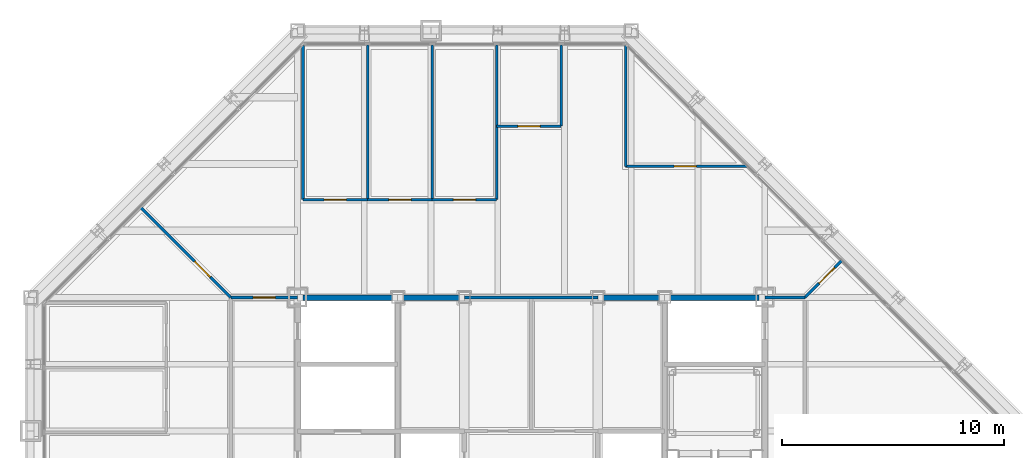
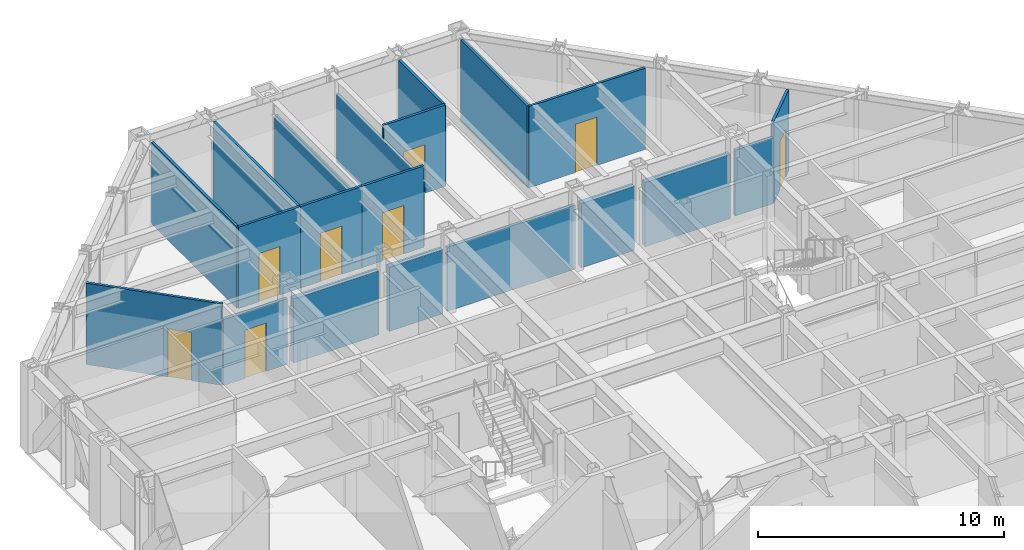
# One storey, part 13 of 16: 20 walls, 8 doors, 8 openings.
"""IFC4 building model written with IfcOpenShell, lengths in metres."""

from ifc_helpers import new_model, si_unit, direction, frame, frame_2d, origin, place, context, subcontext, project, spatial, rectangle, extrude, material, layer, layer_set, type_object, element, fill, save


model = new_model("IFC4")

# Units and contexts
model_context = context("Model", 3, precision=1e-05, world=origin(), true_north=direction((0.0, 1.0)))
body_context = subcontext(model_context, "Body", "Model", "MODEL_VIEW")
ifc_project = project(units=[si_unit("LENGTHUNIT", "METRE"), si_unit("AREAUNIT", "SQUARE_METRE"), si_unit("VOLUMEUNIT", "CUBIC_METRE"), si_unit("PLANEANGLEUNIT", "RADIAN"), si_unit("MASSUNIT", "GRAM", prefix="KILO")], contexts=[model_context])

# Site, building, storey
site_placement = place(None, origin())
site = spatial("IfcSite", under=ifc_project, at=site_placement, CompositionType="ELEMENT")
building_placement = place(site_placement, origin())
building = spatial("IfcBuilding", under=site, at=building_placement, Name="Chuquiago Exchange Tower", CompositionType="ELEMENT")
storey_placement = place(building_placement, frame((0.0, 0.0, 234.89990234375)))
storey = spatial("IfcBuildingStorey", under=building, at=storey_placement, Name="L52", CompositionType="ELEMENT", Elevation=234.89990234375)

# Walls
ifc_material_1 = material(Name="Concrete masonry, fully grouted", Category="masonry")
ifc_layer_1 = layer(ifc_material_1, 0.25)
ifc_layer_set_1 = layer_set([ifc_layer_1], Name="W1 core wall 250")
wall_type_1 = type_object("IfcWallType", Name="W1 core wall 250", PredefinedType="SOLIDWALL", material=ifc_layer_set_1)
wall_1_placement = place(storey_placement, frame((12.25, 33.0, 0.0), z_axis=(0.0, 0.0, 1.0), x_axis=(1.0, 0.0, 0.0)))
element("IfcWall", 1, at=wall_1_placement, inside=storey, type_object=wall_type_1, Name="CW-L52-11-0", PredefinedType="SOLIDWALL", context=body_context, shape_type="SweptSolid", body=[
    extrude(rectangle(XDim=4.0, YDim=0.25, at=frame_2d((2.0, 0.0))), origin(), (0.0, 0.0, 1.0), 3.181640625),
])
for number, where, z_axis, x_axis, name in (
    (2, (16.75, 33.0, 0.0), (0.0, 0.0, 1.0), (1.0, 0.0, 0.0), "CW-L52-11-1"),
    (3, (25.75, 33.0, 0.0), (0.0, 0.0, 1.0), (1.0, 0.0, 0.0), "CW-L52-12-0"),
):
    element("IfcWall", number, at=place(storey_placement, frame(where, z_axis=z_axis, x_axis=x_axis)), inside=storey, type_object=wall_type_1, Name=name, PredefinedType="SOLIDWALL", context=body_context, shape_type="SweptSolid", body=[
        extrude(rectangle(XDim=2.5, YDim=0.25, at=frame_2d((1.25, 0.0))), origin(), (0.0, 0.0, 1.0), 3.181640625),
    ])
wall_2_placement = place(storey_placement, frame((28.75, 33.0, 0.0), z_axis=(0.0, 0.0, 1.0), x_axis=(1.0, 0.0, 0.0)))
element("IfcWall", 4, at=wall_2_placement, inside=storey, type_object=wall_type_1, Name="CW-L52-12-1", PredefinedType="SOLIDWALL", context=body_context, shape_type="SweptSolid", body=[
    extrude(rectangle(XDim=4.0, YDim=0.25, at=frame_2d((2.0, 0.0))), origin(), (0.0, 0.0, 1.0), 3.181640625),
])

# Wall, opening, door
ifc_material_2 = material(Name="Gypsum board on steel studs, acoustic insulation", Category="steel")
ifc_layer_2 = layer(ifc_material_2, 0.14990234375)
ifc_layer_set_2 = layer_set([ifc_layer_2], Name="W11 corridor wall 150")
wall_type_2 = type_object("IfcWallType", Name="W11 corridor wall 150", PredefinedType="PARTITIONING", material=ifc_layer_set_2)
wall_3_placement = place(storey_placement, frame((9.0, 33.0, 0.0), z_axis=(0.0, 0.0, 1.0), x_axis=(1.0, 0.0, 0.0)))
wall_3 = element("IfcWall", 5, at=wall_3_placement, inside=storey, type_object=wall_type_2, Name="PW-L52-GWN0", PredefinedType="PARTITIONING", context=body_context, shape_type="SweptSolid", body=[
    extrude(rectangle(XDim=3.0, YDim=0.14990234375, at=frame_2d((1.5, 0.0))), origin(), (0.0, 0.0, 1.0), 3.2705078125),
])
opening_1_placement = place(wall_3_placement, frame((1.0, 0.0, 0.0)))
opening_1 = element("IfcOpeningElement", 6, at=opening_1_placement, cuts=wall_3, Name="Opening L52-034", PredefinedType="OPENING", context=body_context, shape_type="SweptSolid", body=[
    extrude(rectangle(XDim=1.0, YDim=2.39990234375, at=frame_2d((0.5, 1.199951171875))), frame((0.0, 0.0849609375, 0.0), z_axis=(0.0, -1.0, 0.0), x_axis=(1.0, 0.0, 0.0)), (0.0, 0.0, 1.0), 0.169921875),
])
ifc_material_3 = material(Name="Timber door, laminate faced", Category="wood")
door_type_1 = type_object("IfcDoorType", Name="D9 room door 1000x2400", OperationType="SINGLE_SWING_LEFT", PredefinedType="DOOR", material=ifc_material_3)
door_1_placement = place(opening_1_placement, origin())
door_1 = element("IfcDoor", 7, at=door_1_placement, inside=storey, type_object=door_type_1, Name="Team area door", OperationType="SINGLE_SWING_RIGHT", OverallHeight=2.39990234375, OverallWidth=1.0, PredefinedType="DOOR", context=body_context, shape_type="SweptSolid", body=[
    extrude(rectangle(XDim=1.0, YDim=2.39990234375, at=frame_2d((0.5, 1.199951171875))), frame((0.0, 0.02490234375, 0.0), z_axis=(0.0, -1.0, 0.0), x_axis=(1.0, 0.0, 0.0)), (0.0, 0.0, 1.0), 0.050048828125),
])
fill(opening_1, door_1)

# Walls
wall_4_placement = place(storey_placement, frame((33.0, 33.0, 0.0), z_axis=(0.0, 0.0, 1.0), x_axis=(1.0, 0.0, 0.0)))
element("IfcWall", 8, at=wall_4_placement, inside=storey, type_object=wall_type_2, Name="PW-L52-GEN0", PredefinedType="PARTITIONING", context=body_context, shape_type="SweptSolid", body=[
    extrude(rectangle(XDim=1.800048828125, YDim=0.14990234375, at=frame_2d((0.89990234375, 0.0))), origin(), (0.0, 0.0, 1.0), 3.2705078125),
])
ifc_material_4 = material(Name="Gypsum board on steel studs", Category="steel")
ifc_layer_3 = layer(ifc_material_4, 0.14990234375)
ifc_layer_set_3 = layer_set([ifc_layer_3], Name="W3 core partition 150")
wall_type_3 = type_object("IfcWallType", Name="W3 core partition 150", PredefinedType="PARTITIONING", material=ifc_layer_set_3)
wall_5_placement = place(storey_placement, frame((19.5, 33.0, 0.0), z_axis=(0.0, 0.0, 1.0), x_axis=(1.0, 0.0, 0.0)))
element("IfcWall", 9, at=wall_5_placement, inside=storey, type_object=wall_type_3, Name="CW-L52-TB", PredefinedType="PARTITIONING", context=body_context, shape_type="SweptSolid", body=[
    extrude(rectangle(XDim=6.0, YDim=0.14990234375, at=frame_2d((3.0, 0.0))), origin(), (0.0, 0.0, 1.0), 3.181640625),
])
ifc_material_5 = material(Name="Gypsum board on steel studs", Category="steel")
ifc_layer_4 = layer(ifc_material_5, 0.1201171875)
ifc_layer_set_4 = layer_set([ifc_layer_4], Name="W4 partition 120")
wall_type_4 = type_object("IfcWallType", Name="W4 partition 120", PredefinedType="PARTITIONING", material=ifc_layer_set_4)
wall_6_placement = place(storey_placement, frame((12.24853515625, 44.333984375, 0.0), z_axis=(0.0, 0.0, 1.0), x_axis=(0.0, -1.0, 0.0)))
element("IfcWall", 10, at=wall_6_placement, inside=storey, type_object=wall_type_4, Name="PW-L52-N01225", PredefinedType="PARTITIONING", context=body_context, shape_type="SweptSolid", body=[
    extrude(rectangle(XDim=6.93408203125, YDim=0.1201171875, at=frame_2d((3.467041015625, 0.0))), origin(), (0.0, 0.0, 1.0), 4.0400390625),
])
wall_7_placement = place(storey_placement, frame((15.149169921875, 44.347412109375, 0.0), z_axis=(0.0, 0.0, 1.0), x_axis=(0.0, -1.0, 0.0)))
element("IfcWall", 11, at=wall_7_placement, inside=storey, type_object=wall_type_4, Name="PW-L52-N01515", PredefinedType="PARTITIONING", context=body_context, shape_type="SweptSolid", body=[
    extrude(rectangle(XDim=6.947509765625, YDim=0.1201171875, at=frame_2d((3.4736328125, 0.0))), origin(), (0.0, 0.0, 1.0), 4.0400390625),
])
for number, where, z_axis, x_axis, name in (
    (12, (18.0498046875, 44.347412109375, 0.0), (0.0, 0.0, 1.0), (0.0, -1.0, 0.0), "PW-L52-N01805"),
    (13, (20.9501953125, 44.347412109375, 0.0), (0.0, 0.0, 1.0), (0.0, -1.0, 0.0), "PW-L52-N02095"),
):
    element("IfcWall", number, at=place(storey_placement, frame(where, z_axis=z_axis, x_axis=x_axis)), inside=storey, type_object=wall_type_4, Name=name, PredefinedType="PARTITIONING", context=body_context, shape_type="SweptSolid", body=[
        extrude(rectangle(XDim=6.947509765625, YDim=0.1201171875, at=frame_2d((3.4736328125, 0.0))), origin(), (0.0, 0.0, 1.0), 3.35693359375),
    ])
wall_8_placement = place(storey_placement, frame((23.850830078125, 44.347412109375, 0.0), z_axis=(0.0, 0.0, 1.0), x_axis=(0.0, -1.0, 0.0)))
element("IfcWall", 14, at=wall_8_placement, inside=storey, type_object=wall_type_4, Name="PW-L52-N02385", PredefinedType="PARTITIONING", context=body_context, shape_type="SweptSolid", body=[
    extrude(rectangle(XDim=3.6474609375, YDim=0.1201171875, at=frame_2d((1.82373046875, 0.0))), origin(), (0.0, 0.0, 1.0), 4.0400390625),
])
wall_9_placement = place(storey_placement, frame((26.75146484375, 44.333984375, 0.0), z_axis=(0.0, 0.0, 1.0), x_axis=(0.0, -1.0, 0.0)))
element("IfcWall", 15, at=wall_9_placement, inside=storey, type_object=wall_type_4, Name="PW-L52-N02675", PredefinedType="PARTITIONING", context=body_context, shape_type="SweptSolid", body=[
    extrude(rectangle(XDim=5.43408203125, YDim=0.1201171875, at=frame_2d((2.717041015625, 0.0))), origin(), (0.0, 0.0, 1.0), 4.0400390625),
])

# Wall, opening, door
wall_10_placement = place(storey_placement, frame((12.24853515625, 37.39990234375, 0.0), z_axis=(0.0, 0.0, 1.0), x_axis=(1.0, 0.0, 0.0)))
wall_10 = element("IfcWall", 16, at=wall_10_placement, inside=storey, type_object=wall_type_4, Name="PW-L52-NF01225", PredefinedType="PARTITIONING", context=body_context, shape_type="SweptSolid", body=[
    extrude(rectangle(XDim=2.900634765625, YDim=0.1201171875, at=frame_2d((1.4501953125, 0.0))), origin(), (0.0, 0.0, 1.0), 4.0400390625),
])
opening_2_placement = place(wall_10_placement, frame((0.9501953125, 0.0, 0.0)))
opening_2 = element("IfcOpeningElement", 17, at=opening_2_placement, cuts=wall_10, Name="Opening L52-024", PredefinedType="OPENING", context=body_context, shape_type="SweptSolid", body=[
    extrude(rectangle(XDim=1.0, YDim=2.39990234375, at=frame_2d((0.5, 1.199951171875))), frame((0.0, 0.070068359375, 0.0), z_axis=(0.0, -1.0, 0.0), x_axis=(1.0, 0.0, 0.0)), (0.0, 0.0, 1.0), 0.14013671875),
])
door_2_placement = place(opening_2_placement, origin())
door_2 = element("IfcDoor", 18, at=door_2_placement, inside=storey, type_object=door_type_1, Name="Research office door", OperationType="SINGLE_SWING_LEFT", OverallHeight=2.39990234375, OverallWidth=1.0, PredefinedType="DOOR", context=body_context, shape_type="SweptSolid", body=[
    extrude(rectangle(XDim=1.0, YDim=2.39990234375, at=frame_2d((0.5, 1.199951171875))), frame((0.0, 0.02490234375, 0.0), z_axis=(0.0, -1.0, 0.0), x_axis=(1.0, 0.0, 0.0)), (0.0, 0.0, 1.0), 0.050048828125),
])
fill(opening_2, door_2)

wall_11_placement = place(storey_placement, frame((15.149169921875, 37.39990234375, 0.0), z_axis=(0.0, 0.0, 1.0), x_axis=(1.0, 0.0, 0.0)))
wall_11 = element("IfcWall", 19, at=wall_11_placement, inside=storey, type_object=wall_type_4, Name="PW-L52-NF01515", PredefinedType="PARTITIONING", context=body_context, shape_type="SweptSolid", body=[
    extrude(rectangle(XDim=2.900634765625, YDim=0.1201171875, at=frame_2d((1.4501953125, 0.0))), origin(), (0.0, 0.0, 1.0), 4.0400390625),
])
opening_3_placement = place(wall_11_placement, frame((0.9501953125, 0.0, 0.0)))
opening_3 = element("IfcOpeningElement", 20, at=opening_3_placement, cuts=wall_11, Name="Opening L52-025", PredefinedType="OPENING", context=body_context, shape_type="SweptSolid", body=[
    extrude(rectangle(XDim=1.0, YDim=2.39990234375, at=frame_2d((0.5, 1.199951171875))), frame((0.0, 0.070068359375, 0.0), z_axis=(0.0, -1.0, 0.0), x_axis=(1.0, 0.0, 0.0)), (0.0, 0.0, 1.0), 0.14013671875),
])
door_3_placement = place(opening_3_placement, origin())
door_3 = element("IfcDoor", 21, at=door_3_placement, inside=storey, type_object=door_type_1, Name="Research office door", OperationType="SINGLE_SWING_LEFT", OverallHeight=2.39990234375, OverallWidth=1.0, PredefinedType="DOOR", context=body_context, shape_type="SweptSolid", body=[
    extrude(rectangle(XDim=1.0, YDim=2.39990234375, at=frame_2d((0.5, 1.199951171875))), frame((0.0, 0.02490234375, 0.0), z_axis=(0.0, -1.0, 0.0), x_axis=(1.0, 0.0, 0.0)), (0.0, 0.0, 1.0), 0.050048828125),
])
fill(opening_3, door_3)

wall_12_placement = place(storey_placement, frame((18.0498046875, 37.39990234375, 0.0), z_axis=(0.0, 0.0, 1.0), x_axis=(1.0, 0.0, 0.0)))
wall_12 = element("IfcWall", 22, at=wall_12_placement, inside=storey, type_object=wall_type_4, Name="PW-L52-NF01805", PredefinedType="PARTITIONING", context=body_context, shape_type="SweptSolid", body=[
    extrude(rectangle(XDim=2.900390625, YDim=0.1201171875, at=frame_2d((1.4501953125, 0.0))), origin(), (0.0, 0.0, 1.0), 4.0400390625),
])
opening_4_placement = place(wall_12_placement, frame((0.9501953125, 0.0, 0.0)))
opening_4 = element("IfcOpeningElement", 23, at=opening_4_placement, cuts=wall_12, Name="Opening L52-026", PredefinedType="OPENING", context=body_context, shape_type="SweptSolid", body=[
    extrude(rectangle(XDim=1.0, YDim=2.39990234375, at=frame_2d((0.5, 1.199951171875))), frame((0.0, 0.070068359375, 0.0), z_axis=(0.0, -1.0, 0.0), x_axis=(1.0, 0.0, 0.0)), (0.0, 0.0, 1.0), 0.14013671875),
])
door_4_placement = place(opening_4_placement, origin())
door_4 = element("IfcDoor", 24, at=door_4_placement, inside=storey, type_object=door_type_1, Name="Research office door", OperationType="SINGLE_SWING_RIGHT", OverallHeight=2.39990234375, OverallWidth=1.0, PredefinedType="DOOR", context=body_context, shape_type="SweptSolid", body=[
    extrude(rectangle(XDim=1.0, YDim=2.39990234375, at=frame_2d((0.5, 1.199951171875))), frame((0.0, 0.02490234375, 0.0), z_axis=(0.0, -1.0, 0.0), x_axis=(1.0, 0.0, 0.0)), (0.0, 0.0, 1.0), 0.050048828125),
])
fill(opening_4, door_4)

wall_13_placement = place(storey_placement, frame((20.9501953125, 40.699951171875, 0.0), z_axis=(0.0, 0.0, 1.0), x_axis=(1.0, 0.0, 0.0)))
wall_13 = element("IfcWall", 25, at=wall_13_placement, inside=storey, type_object=wall_type_4, Name="PW-L52-NF02095", PredefinedType="PARTITIONING", context=body_context, shape_type="SweptSolid", body=[
    extrude(rectangle(XDim=2.900634765625, YDim=0.1201171875, at=frame_2d((1.4501953125, 0.0))), origin(), (0.0, 0.0, 1.0), 4.0400390625),
])
opening_5_placement = place(wall_13_placement, frame((0.9501953125, 0.0, 0.0)))
opening_5 = element("IfcOpeningElement", 26, at=opening_5_placement, cuts=wall_13, Name="Opening L52-027", PredefinedType="OPENING", context=body_context, shape_type="SweptSolid", body=[
    extrude(rectangle(XDim=1.0, YDim=2.39990234375, at=frame_2d((0.5, 1.199951171875))), frame((0.0, 0.070068359375, 0.0), z_axis=(0.0, -1.0, 0.0), x_axis=(1.0, 0.0, 0.0)), (0.0, 0.0, 1.0), 0.14013671875),
])
ifc_material_6 = material(Name="Timber frame door, full height glazed panel", Category="wood")
door_type_2 = type_object("IfcDoorType", Name="D14 glazed meeting room door 1000x2400", OperationType="SINGLE_SWING_LEFT", PredefinedType="DOOR", material=ifc_material_6)
door_5_placement = place(opening_5_placement, origin())
door_5 = element("IfcDoor", 27, at=door_5_placement, inside=storey, type_object=door_type_2, Name="Focus room door", OperationType="SINGLE_SWING_LEFT", OverallHeight=2.39990234375, OverallWidth=1.0, PredefinedType="DOOR", context=body_context, shape_type="SweptSolid", body=[
    extrude(rectangle(XDim=1.0, YDim=2.39990234375, at=frame_2d((0.5, 1.199951171875))), frame((0.0, 0.02490234375, 0.0), z_axis=(0.0, -1.0, 0.0), x_axis=(1.0, 0.0, 0.0)), (0.0, 0.0, 1.0), 0.050048828125),
])
fill(opening_5, door_5)

wall_14_placement = place(storey_placement, frame((26.75146484375, 38.89990234375, 0.0), z_axis=(0.0, 0.0, 1.0), x_axis=(1.0, 0.0, 0.0)))
wall_14 = element("IfcWall", 28, at=wall_14_placement, inside=storey, type_object=wall_type_4, Name="PW-L52-NF02675", PredefinedType="PARTITIONING", context=body_context, shape_type="SweptSolid", body=[
    extrude(rectangle(XDim=5.463134765625, YDim=0.1201171875, at=frame_2d((2.7314453125, 0.0))), origin(), (0.0, 0.0, 1.0), 4.0400390625),
])
opening_6_placement = place(wall_14_placement, frame((2.17919921875, 0.0, 0.0)))
opening_6 = element("IfcOpeningElement", 29, at=opening_6_placement, cuts=wall_14, Name="Opening L52-028", PredefinedType="OPENING", context=body_context, shape_type="SweptSolid", body=[
    extrude(rectangle(XDim=1.0, YDim=2.39990234375, at=frame_2d((0.5, 1.199951171875))), frame((0.0, 0.070068359375, 0.0), z_axis=(0.0, -1.0, 0.0), x_axis=(1.0, 0.0, 0.0)), (0.0, 0.0, 1.0), 0.14013671875),
])
door_6_placement = place(opening_6_placement, origin())
door_6 = element("IfcDoor", 30, at=door_6_placement, inside=storey, type_object=door_type_2, Name="Meeting room door", OperationType="SINGLE_SWING_RIGHT", OverallHeight=2.39990234375, OverallWidth=1.0, PredefinedType="DOOR", context=body_context, shape_type="SweptSolid", body=[
    extrude(rectangle(XDim=1.0, YDim=2.39990234375, at=frame_2d((0.5, 1.199951171875))), frame((0.0, 0.02490234375, 0.0), z_axis=(0.0, -1.0, 0.0), x_axis=(1.0, 0.0, 0.0)), (0.0, 0.0, 1.0), 0.050048828125),
])
fill(opening_6, door_6)

wall_15_placement = place(storey_placement, frame((34.800048828125, 33.0, 0.0), z_axis=(0.0, 0.0, 1.0), x_axis=(0.707106781187, 0.707106781187, 0.0)))
wall_15 = element("IfcWall", 31, at=wall_15_placement, inside=storey, type_object=wall_type_4, Name="PW-L52-QNE", PredefinedType="PARTITIONING", context=body_context, shape_type="SweptSolid", body=[
    extrude(rectangle(XDim=2.337890625, YDim=0.1201171875, at=frame_2d((1.1689453125, 0.0))), origin(), (0.0, 0.0, 1.0), 4.0400390625),
])
opening_7_placement = place(wall_15_placement, frame((0.89990234375, 0.0, 0.0)))
opening_7 = element("IfcOpeningElement", 32, at=opening_7_placement, cuts=wall_15, Name="Opening L52-037", PredefinedType="OPENING", context=body_context, shape_type="SweptSolid", body=[
    extrude(rectangle(XDim=1.0, YDim=2.39990234375, at=frame_2d((0.5, 1.199951171875))), frame((0.0, 0.070068359375, 0.0), z_axis=(0.0, -1.0, 0.0), x_axis=(1.0, 0.0, 0.0)), (0.0, 0.0, 1.0), 0.14013671875),
])
door_7_placement = place(opening_7_placement, frame((1.0, 0.0, 0.0), z_axis=(0.0, 0.0, 1.0), x_axis=(-1.0, 0.0, 0.0)))
door_7 = element("IfcDoor", 33, at=door_7_placement, inside=storey, type_object=door_type_1, Name="Team area door", OperationType="SINGLE_SWING_LEFT", OverallHeight=2.39990234375, OverallWidth=1.0, PredefinedType="DOOR", context=body_context, shape_type="SweptSolid", body=[
    extrude(rectangle(XDim=1.0, YDim=2.39990234375, at=frame_2d((0.5, 1.199951171875))), frame((0.0, 0.02490234375, 0.0), z_axis=(0.0, -1.0, 0.0), x_axis=(1.0, 0.0, 0.0)), (0.0, 0.0, 1.0), 0.050048828125),
])
fill(opening_7, door_7)

wall_16_placement = place(storey_placement, frame((9.0, 33.0, 0.0), z_axis=(0.0, 0.0, 1.0), x_axis=(-0.707106781187, 0.707106781187, 0.0)))
wall_16 = element("IfcWall", 34, at=wall_16_placement, inside=storey, type_object=wall_type_4, Name="PW-L52-QNW", PredefinedType="PARTITIONING", context=body_context, shape_type="SweptSolid", body=[
    extrude(rectangle(XDim=5.731689453125, YDim=0.1201171875, at=frame_2d((2.86572265625, 0.0))), origin(), (0.0, 0.0, 1.0), 4.0400390625),
])
opening_8_placement = place(wall_16_placement, frame((1.300048828125, 0.0, 0.0)))
opening_8 = element("IfcOpeningElement", 35, at=opening_8_placement, cuts=wall_16, Name="Opening L52-038", PredefinedType="OPENING", context=body_context, shape_type="SweptSolid", body=[
    extrude(rectangle(XDim=1.0, YDim=2.39990234375, at=frame_2d((0.5, 1.199951171875))), frame((0.0, 0.070068359375, 0.0), z_axis=(0.0, -1.0, 0.0), x_axis=(1.0, 0.0, 0.0)), (0.0, 0.0, 1.0), 0.14013671875),
])
door_8_placement = place(opening_8_placement, frame((1.0, 0.0, 0.0), z_axis=(0.0, 0.0, 1.0), x_axis=(-1.0, 0.0, 0.0)))
door_8 = element("IfcDoor", 36, at=door_8_placement, inside=storey, type_object=door_type_1, Name="Team area door", OperationType="SINGLE_SWING_RIGHT", OverallHeight=2.39990234375, OverallWidth=1.0, PredefinedType="DOOR", context=body_context, shape_type="SweptSolid", body=[
    extrude(rectangle(XDim=1.0, YDim=2.39990234375, at=frame_2d((0.5, 1.199951171875))), frame((0.0, 0.02490234375, 0.0), z_axis=(0.0, -1.0, 0.0), x_axis=(1.0, 0.0, 0.0)), (0.0, 0.0, 1.0), 0.050048828125),
])
fill(opening_8, door_8)

save(model, "model.ifc")
